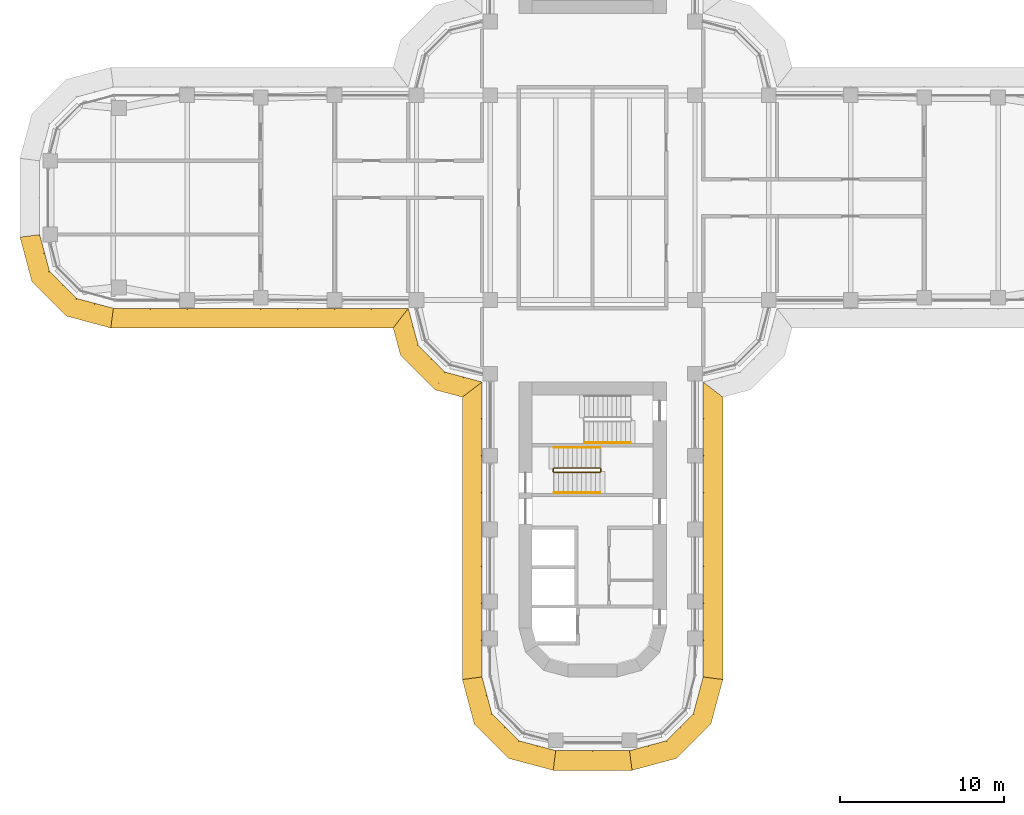
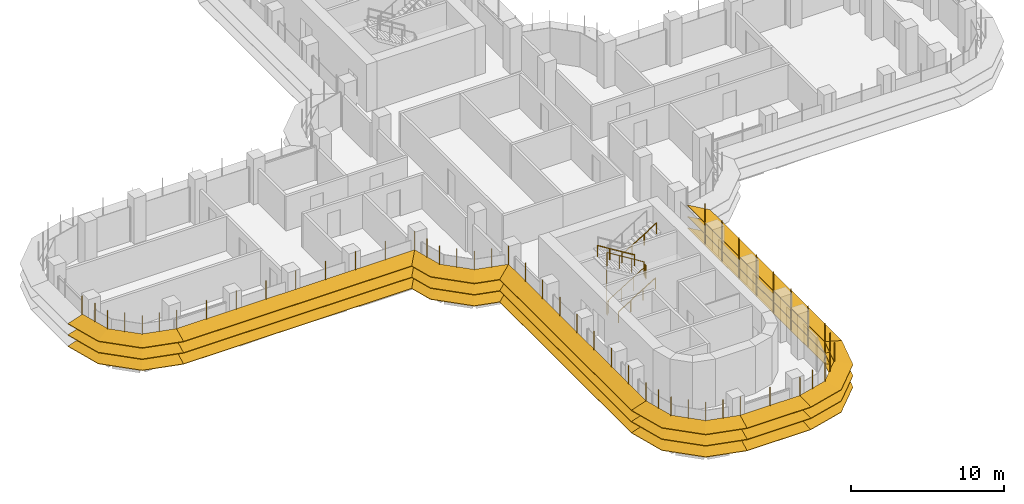
# One storey, part 19 of 22: 8 shading devices, 4 railings.
"""IFC4 building model written with IfcOpenShell, lengths in metres."""

from ifc_helpers import new_model, si_unit, direction, frame, origin, origin_2d, place, context, subcontext, project, spatial, polyline, circle, outline, extrude, faceted_brep, source, transform, mapped, material, type_object, element, save


model = new_model("IFC4")

# Units and contexts
model_context = context("Model", 3, precision=1e-05, world=origin(), true_north=direction((0.0, 1.0)))
body_context = subcontext(model_context, "Body", "Model", "MODEL_VIEW")
ifc_project = project(units=[si_unit("LENGTHUNIT", "METRE"), si_unit("AREAUNIT", "SQUARE_METRE"), si_unit("VOLUMEUNIT", "CUBIC_METRE"), si_unit("PLANEANGLEUNIT", "RADIAN"), si_unit("MASSUNIT", "GRAM", prefix="KILO")], contexts=[model_context])

# Site, building, storey
site_placement = place(None, origin())
site = spatial("IfcSite", under=ifc_project, at=site_placement, CompositionType="ELEMENT")
building_placement = place(site_placement, origin())
building = spatial("IfcBuilding", under=site, at=building_placement, Name="Zarbagh Exchange Tower", CompositionType="ELEMENT")
storey_placement = place(building_placement, frame((0.0, 0.0, 98.0)))
storey = spatial("IfcBuildingStorey", under=building, at=storey_placement, Name="L22", CompositionType="ELEMENT", Elevation=98.0)

# Railings
ifc_material_1 = material(Name="Stainless steel", Category="steel")
railing_type_1 = type_object("IfcRailingType", Name="Stair guard 1100 mm", PredefinedType="GUARDRAIL", material=ifc_material_1)
railing_1_placement = place(storey_placement, frame((0.449951171875, -16.5, 2.07275390625)))
element("IfcRailing", 1, at=railing_1_placement, inside=storey, type_object=railing_type_1, Name="ST3 stair guard 1", PredefinedType="GUARDRAIL", context=body_context, shape_type="SweptSolid", body=[
    extrude(circle(Radius=0.02392578125, at=origin_2d()), frame((0.0, 0.0, 1.076171875), z_axis=(-0.851089632645, 0.0, 0.525020415988), x_axis=(0.0, -1.0, 0.0)), (0.0, 0.0, 1.0), 3.2900390625),
    extrude(circle(Radius=0.02392578125, at=origin_2d()), frame((-2.800048828125, 0.0, 2.80322265625), z_axis=(-0.013104066473, -0.013168302093, -0.99982742474), x_axis=(0.708833529934, -0.705375805398, 0.0)), (0.0, 0.0, 1.0), 3.80078125),
    extrude(circle(Radius=0.02392578125, at=origin_2d()), frame((-2.849853515625, -0.050048828125, -0.99658203125), z_axis=(0.0, -1.0, 0.0), x_axis=(1.0, 0.0, 0.0)), (0.0, 0.0, 1.0), 0.14990234375),
    extrude(circle(Radius=0.02392578125, at=origin_2d()), frame((-2.849853515625, -0.199951171875, -0.99658203125), z_axis=(0.267062837333, -0.268371968888, 0.925556009775), x_axis=(0.708833529934, 0.705375805398, 0.0)), (0.0, 0.0, 1.0), 0.1865234375),
    extrude(circle(Radius=0.02392578125, at=origin_2d()), frame((-2.800048828125, -0.25, -0.82421875), z_axis=(0.851089632645, 0.0, 0.525020415988), x_axis=(0.0, 1.0, 0.0)), (0.0, 0.0, 1.0), 3.2900390625),
    extrude(circle(Radius=0.02392578125, at=origin_2d()), frame((0.0, -0.25, 0.9033203125), z_axis=(0.707106781187, 0.707106781187, 0.0), x_axis=(-0.707106781187, 0.707106781187, 0.0)), (0.0, 0.0, 1.0), 0.07080078125),
    extrude(circle(Radius=0.02392578125, at=origin_2d()), frame((0.050048828125, -0.199951171875, 0.9033203125), z_axis=(0.0, 1.0, 0.0), x_axis=(-1.0, 0.0, 0.0)), (0.0, 0.0, 1.0), 0.14990234375),
    extrude(circle(Radius=0.02099609375, at=origin_2d()), origin(), (0.0, 0.0, 1.0), 1.052001953125),
    extrude(circle(Radius=0.02099609375, at=origin_2d()), frame((-0.933349609375, 0.0, 0.57568359375)), (0.0, 0.0, 1.0), 1.052001953125),
    extrude(circle(Radius=0.02099609375, at=origin_2d()), frame((-1.86669921875, 0.0, 1.151611328125)), (0.0, 0.0, 1.0), 1.052001953125),
    extrude(circle(Radius=0.02099609375, at=origin_2d()), frame((-2.800048828125, 0.0, 1.727294921875)), (0.0, 0.0, 1.0), 1.052001953125),
    extrude(circle(Radius=0.02099609375, at=origin_2d()), frame((-2.8125, -0.012451171875, 0.77734375)), (0.0, 0.0, 1.0), 1.052001953125),
    extrude(circle(Radius=0.02099609375, at=origin_2d()), frame((-2.824951171875, -0.02490234375, -0.1728515625)), (0.0, 0.0, 1.0), 1.052001953125),
    extrude(circle(Radius=0.02099609375, at=origin_2d()), frame((-2.83740234375, -0.03759765625, -1.122802734375)), (0.0, 0.0, 1.0), 1.052001953125),
    extrude(circle(Radius=0.02099609375, at=origin_2d()), frame((-2.849853515625, -0.050048828125, -2.07275390625)), (0.0, 0.0, 1.0), 1.052001953125),
    extrude(circle(Radius=0.02099609375, at=origin_2d()), frame((-2.849853515625, -0.199951171875, -2.07275390625)), (0.0, 0.0, 1.0), 1.052001953125),
    extrude(circle(Radius=0.02099609375, at=origin_2d()), frame((-2.800048828125, -0.25, -1.900146484375)), (0.0, 0.0, 1.0), 1.052001953125),
    extrude(circle(Radius=0.02099609375, at=origin_2d()), frame((-1.86669921875, -0.25, -1.324462890625)), (0.0, 0.0, 1.0), 1.052001953125),
    extrude(circle(Radius=0.02099609375, at=origin_2d()), frame((-0.933349609375, -0.25, -0.74853515625)), (0.0, 0.0, 1.0), 1.052001953125),
    extrude(circle(Radius=0.02099609375, at=origin_2d()), frame((0.0, -0.25, -0.1728515625)), (0.0, 0.0, 1.0), 1.052001953125),
    extrude(circle(Radius=0.02099609375, at=origin_2d()), frame((0.050048828125, -0.199951171875, -0.1728515625)), (0.0, 0.0, 1.0), 1.052001953125),
    extrude(circle(Radius=0.02099609375, at=origin_2d()), frame((0.050048828125, -0.050048828125, -0.1728515625)), (0.0, 0.0, 1.0), 1.052001953125),
])
railing_type_2 = type_object("IfcRailingType", Name="Stair handrail 900 mm", PredefinedType="HANDRAIL", material=ifc_material_1)
railing_2_placement = place(storey_placement, frame((-2.35009765625, -18.0, 0.172607421875)))
element("IfcRailing", 2, at=railing_2_placement, inside=storey, type_object=railing_type_2, Name="ST3 stair handrail 1", PredefinedType="HANDRAIL", context=body_context, shape_type="SweptSolid", body=[
    extrude(circle(Radius=0.02392578125, at=origin_2d()), frame((0.0, 0.0, 0.8759765625), z_axis=(0.851089632645, 0.0, 0.525020415988), x_axis=(0.0, 1.0, 0.0)), (0.0, 0.0, 1.0), 3.2900390625),
    extrude(circle(Radius=0.02099609375, at=origin_2d()), origin(), (0.0, 0.0, 1.0), 0.851806640625),
    extrude(circle(Radius=0.02099609375, at=origin_2d()), frame((0.933349609375, 0.0, 0.57568359375)), (0.0, 0.0, 1.0), 0.851806640625),
    extrude(circle(Radius=0.02099609375, at=origin_2d()), frame((1.86669921875, 0.0, 1.151611328125)), (0.0, 0.0, 1.0), 0.851806640625),
    extrude(circle(Radius=0.02099609375, at=origin_2d()), frame((2.800048828125, 0.0, 1.727294921875)), (0.0, 0.0, 1.0), 0.851806640625),
])
railing_3_placement = place(storey_placement, frame((0.449951171875, -15.25, 2.07275390625)))
element("IfcRailing", 3, at=railing_3_placement, inside=storey, type_object=railing_type_2, Name="ST3 stair handrail 2", PredefinedType="HANDRAIL", context=body_context, shape_type="SweptSolid", body=[
    extrude(circle(Radius=0.02392578125, at=origin_2d()), frame((0.0, 0.0, 0.8759765625), z_axis=(-0.851089632645, 0.0, 0.525020415988), x_axis=(0.0, -1.0, 0.0)), (0.0, 0.0, 1.0), 3.2900390625),
    extrude(circle(Radius=0.02099609375, at=origin_2d()), origin(), (0.0, 0.0, 1.0), 0.851806640625),
    extrude(circle(Radius=0.02099609375, at=origin_2d()), frame((-0.933349609375, 0.0, 0.57568359375)), (0.0, 0.0, 1.0), 0.851806640625),
    extrude(circle(Radius=0.02099609375, at=origin_2d()), frame((-1.86669921875, 0.0, 1.151611328125)), (0.0, 0.0, 1.0), 0.851806640625),
    extrude(circle(Radius=0.02099609375, at=origin_2d()), frame((-2.800048828125, 0.0, 1.727294921875)), (0.0, 0.0, 1.0), 0.851806640625),
])
railing_4_placement = place(storey_placement, frame((-0.5, -14.949951171875, 2.07275390625)))
element("IfcRailing", 4, at=railing_4_placement, inside=storey, type_object=railing_type_2, Name="ST4 stair handrail 2", PredefinedType="HANDRAIL", context=body_context, shape_type="SweptSolid", body=[
    extrude(circle(Radius=0.02392578125, at=origin_2d()), frame((0.0, 0.0, 0.8759765625), z_axis=(0.851089632645, 0.0, 0.525020415988), x_axis=(0.0, 1.0, 0.0)), (0.0, 0.0, 1.0), 3.2900390625),
    extrude(circle(Radius=0.02099609375, at=origin_2d()), origin(), (0.0, 0.0, 1.0), 0.851806640625),
    extrude(circle(Radius=0.02099609375, at=origin_2d()), frame((0.933349609375, 0.0, 0.57568359375)), (0.0, 0.0, 1.0), 0.851806640625),
    extrude(circle(Radius=0.02099609375, at=origin_2d()), frame((1.86669921875, 0.0, 1.151611328125)), (0.0, 0.0, 1.0), 0.851806640625),
    extrude(circle(Radius=0.02099609375, at=origin_2d()), frame((2.800048828125, 0.0, 1.727294921875)), (0.0, 0.0, 1.0), 0.851806640625),
])

# Shading devices
ifc_material_2 = material(Name="Anodised aluminium blades and brackets", Category="aluminium")
shading_device_type = type_object("IfcShadingDeviceType", Name="SUNSHADE louvre band, 11.25 degree blades", PredefinedType="JALOUSIE", material=ifc_material_2)
shared_shape_1 = source(origin(), body_context, "Body", "Brep", [
    faceted_brep([(0.0, 0.0, 0.0), (0.0, 0.0, -0.040771484375), (-0.157958984375, -1.199951171875, -0.279541015625), (-0.157958984375, -1.199951171875, -0.23876953125), (2.65087890625, -1.199951171875, -0.23876953125), (2.65087890625, -1.199951171875, -0.279541015625), (2.329345703125, 0.0, -0.040771484375), (2.329345703125, 0.0, 0.0)], [[[0, 1, 2, 3]], [[4, 5, 6, 7]], [[0, 7, 6, 1]], [[1, 6, 5, 2]], [[2, 5, 4, 3]], [[3, 4, 7, 0]]]),
])
shared_shape_2 = source(origin(), body_context, "Body", "Brep", [
    faceted_brep([(0.0, 0.0, 0.0), (0.0, 0.0, -0.040771484375), (-0.321533203125, -1.199951171875, -0.279541015625), (-0.321533203125, -1.199951171875, -0.23876953125), (2.65087890625, -1.199951171875, -0.23876953125), (2.65087890625, -1.199951171875, -0.279541015625), (2.329345703125, 0.0, -0.040771484375), (2.329345703125, 0.0, 0.0)], [[[0, 1, 2, 3]], [[4, 5, 6, 7]], [[0, 7, 6, 1]], [[1, 6, 5, 2]], [[2, 5, 4, 3]], [[3, 4, 7, 0]]]),
])
shared_shape_3 = source(origin(), body_context, "Body", "Brep", [
    faceted_brep([(0.0, 0.0, 0.0), (0.0, 0.0, -0.040771484375), (-0.321533203125, -1.199951171875, -0.279541015625), (-0.321533203125, -1.199951171875, -0.23876953125), (2.4873046875, -1.199951171875, -0.23876953125), (2.4873046875, -1.199951171875, -0.279541015625), (2.329345703125, 0.0, -0.040771484375), (2.329345703125, 0.0, 0.0)], [[[0, 1, 2, 3]], [[4, 5, 6, 7]], [[0, 7, 6, 1]], [[1, 6, 5, 2]], [[2, 5, 4, 3]], [[3, 4, 7, 0]]]),
])
shared_shape_4 = source(origin(), body_context, "Body", "SweptSolid", [
    extrude(outline(polyline([(0.0, -0.012451171875), (0.06005859375, -0.012451171875), (0.06005859375, 0.012451171875), (0.0, 0.012451171875), (0.0, -0.012451171875)])), origin(), (0.0, 0.0, 1.0), 3.350830078125),
])
placement = place(storey_placement, origin())
element("IfcShadingDevice", 5, at=placement, inside=storey, type_object=shading_device_type, Name="SS01 sunshade band", PredefinedType="JALOUSIE", context=body_context, shape_type="MappedRepresentation", body=[
    mapped(shared_shape_1, transform((2.25, -33.75, 2.300048828125), x_axis=(0.965924289636, 0.258824779902, 0.0), y_axis=(-0.258824779902, 0.965924289636, 0.0), z_axis=(0.0, 0.0, 1.0))),
    mapped(shared_shape_1, transform((2.25, -33.75, 1.39990234375), x_axis=(0.965924289636, 0.258824779902, 0.0), y_axis=(-0.258824779902, 0.965924289636, 0.0), z_axis=(0.0, 0.0, 1.0))),
    mapped(shared_shape_1, transform((2.25, -33.75, 0.5), x_axis=(0.965924289636, 0.258824779902, 0.0), y_axis=(-0.258824779902, 0.965924289636, 0.0), z_axis=(0.0, 0.0, 1.0))),
    mapped(shared_shape_2, transform((4.5, -33.147216796875, 2.300048828125), x_axis=(0.707106781187, 0.707106781187, 0.0), y_axis=(-0.707106781187, 0.707106781187, 0.0), z_axis=(0.0, 0.0, 1.0))),
    mapped(shared_shape_2, transform((4.5, -33.147216796875, 1.39990234375), x_axis=(0.707106781187, 0.707106781187, 0.0), y_axis=(-0.707106781187, 0.707106781187, 0.0), z_axis=(0.0, 0.0, 1.0))),
    mapped(shared_shape_2, transform((4.5, -33.147216796875, 0.5), x_axis=(0.707106781187, 0.707106781187, 0.0), y_axis=(-0.707106781187, 0.707106781187, 0.0), z_axis=(0.0, 0.0, 1.0))),
    mapped(shared_shape_3, transform((6.147216796875, -31.5, 2.300048828125), x_axis=(0.258824779902, 0.965924289636, 0.0), y_axis=(-0.965924289636, 0.258824779902, 0.0), z_axis=(0.0, 0.0, 1.0))),
    mapped(shared_shape_3, transform((6.147216796875, -31.5, 1.39990234375), x_axis=(0.258824779902, 0.965924289636, 0.0), y_axis=(-0.965924289636, 0.258824779902, 0.0), z_axis=(0.0, 0.0, 1.0))),
    mapped(shared_shape_3, transform((6.147216796875, -31.5, 0.5), x_axis=(0.258824779902, 0.965924289636, 0.0), y_axis=(-0.965924289636, 0.258824779902, 0.0), z_axis=(0.0, 0.0, 1.0))),
    mapped(shared_shape_4, transform((2.25, -33.75, 0.42919921875), x_axis=(0.130529263012, -0.991444457092, 0.0), y_axis=(0.991444457092, 0.130529263012, 0.0), z_axis=(0.0, 0.0, 1.0))),
    mapped(shared_shape_4, transform((3.375, -33.448486328125, 0.42919921875), x_axis=(0.258825058029, -0.96592421511, 0.0), y_axis=(0.96592421511, 0.258825058029, 0.0), z_axis=(0.0, 0.0, 1.0))),
    mapped(shared_shape_4, transform((4.5, -33.147216796875, 0.42919921875), x_axis=(0.50000275701, -0.866023812018, 0.0), y_axis=(0.866023812018, 0.50000275701, 0.0), z_axis=(0.0, 0.0, 1.0))),
    mapped(shared_shape_4, transform((5.323486328125, -32.323486328125, 0.42919921875), x_axis=(0.707106781187, -0.707106781187, 0.0), y_axis=(0.707106781187, 0.707106781187, 0.0), z_axis=(0.0, 0.0, 1.0))),
    mapped(shared_shape_4, transform((6.147216796875, -31.5, 0.42919921875), x_axis=(0.866023812018, -0.50000275701, 0.0), y_axis=(0.50000275701, 0.866023812018, 0.0), z_axis=(0.0, 0.0, 1.0))),
    mapped(shared_shape_4, transform((6.448486328125, -30.375, 0.42919921875), x_axis=(0.96592421511, -0.258825058029, 0.0), y_axis=(0.258825058029, 0.96592421511, 0.0), z_axis=(0.0, 0.0, 1.0))),
])
element("IfcShadingDevice", 6, at=placement, inside=storey, type_object=shading_device_type, Name="SS19 sunshade band", PredefinedType="JALOUSIE", context=body_context, shape_type="MappedRepresentation", body=[
    mapped(shared_shape_1, transform((-33.75, -2.25, 2.300048828125), x_axis=(0.258824779902, -0.965924289636, 0.0), y_axis=(0.965924289636, 0.258824779902, 0.0), z_axis=(0.0, 0.0, 1.0))),
    mapped(shared_shape_1, transform((-33.75, -2.25, 1.39990234375), x_axis=(0.258824779902, -0.965924289636, 0.0), y_axis=(0.965924289636, 0.258824779902, 0.0), z_axis=(0.0, 0.0, 1.0))),
    mapped(shared_shape_1, transform((-33.75, -2.25, 0.5), x_axis=(0.258824779902, -0.965924289636, 0.0), y_axis=(0.965924289636, 0.258824779902, 0.0), z_axis=(0.0, 0.0, 1.0))),
    mapped(shared_shape_2, transform((-33.147216796875, -4.5, 2.300048828125), x_axis=(0.707106781187, -0.707106781187, 0.0), y_axis=(0.707106781187, 0.707106781187, 0.0), z_axis=(0.0, 0.0, 1.0))),
    mapped(shared_shape_2, transform((-33.147216796875, -4.5, 1.39990234375), x_axis=(0.707106781187, -0.707106781187, 0.0), y_axis=(0.707106781187, 0.707106781187, 0.0), z_axis=(0.0, 0.0, 1.0))),
    mapped(shared_shape_2, transform((-33.147216796875, -4.5, 0.5), x_axis=(0.707106781187, -0.707106781187, 0.0), y_axis=(0.707106781187, 0.707106781187, 0.0), z_axis=(0.0, 0.0, 1.0))),
    mapped(shared_shape_3, transform((-31.5, -6.147216796875, 2.300048828125), x_axis=(0.965924289636, -0.258824779902, 0.0), y_axis=(0.258824779902, 0.965924289636, 0.0), z_axis=(0.0, 0.0, 1.0))),
    mapped(shared_shape_3, transform((-31.5, -6.147216796875, 1.39990234375), x_axis=(0.965924289636, -0.258824779902, 0.0), y_axis=(0.258824779902, 0.965924289636, 0.0), z_axis=(0.0, 0.0, 1.0))),
    mapped(shared_shape_3, transform((-31.5, -6.147216796875, 0.5), x_axis=(0.965924289636, -0.258824779902, 0.0), y_axis=(0.258824779902, 0.965924289636, 0.0), z_axis=(0.0, 0.0, 1.0))),
    mapped(shared_shape_4, transform((-33.75, -2.25, 0.42919921875), x_axis=(-0.991444457092, -0.130529263012, 0.0), y_axis=(0.130529263012, -0.991444457092, 0.0), z_axis=(0.0, 0.0, 1.0))),
    mapped(shared_shape_4, transform((-33.448486328125, -3.375, 0.42919921875), x_axis=(-0.96592421511, -0.258825058029, 0.0), y_axis=(0.258825058029, -0.96592421511, 0.0), z_axis=(0.0, 0.0, 1.0))),
    mapped(shared_shape_4, transform((-33.147216796875, -4.5, 0.42919921875), x_axis=(-0.866023812018, -0.50000275701, 0.0), y_axis=(0.50000275701, -0.866023812018, 0.0), z_axis=(0.0, 0.0, 1.0))),
    mapped(shared_shape_4, transform((-32.323486328125, -5.323486328125, 0.42919921875), x_axis=(-0.707106781187, -0.707106781187, 0.0), y_axis=(0.707106781187, -0.707106781187, 0.0), z_axis=(0.0, 0.0, 1.0))),
    mapped(shared_shape_4, transform((-31.5, -6.147216796875, 0.42919921875), x_axis=(-0.50000275701, -0.866023812018, 0.0), y_axis=(0.866023812018, -0.50000275701, 0.0), z_axis=(0.0, 0.0, 1.0))),
    mapped(shared_shape_4, transform((-30.375, -6.448486328125, 0.42919921875), x_axis=(-0.258825058029, -0.96592421511, 0.0), y_axis=(0.96592421511, -0.258825058029, 0.0), z_axis=(0.0, 0.0, 1.0))),
])
element("IfcShadingDevice", 7, at=placement, inside=storey, type_object=shading_device_type, Name="SS23 sunshade band", PredefinedType="JALOUSIE", context=body_context, shape_type="MappedRepresentation", body=[
    mapped(shared_shape_1, transform((-6.75, -29.25, 2.300048828125), x_axis=(0.258824779902, -0.965924289636, 0.0), y_axis=(0.965924289636, 0.258824779902, 0.0), z_axis=(0.0, 0.0, 1.0))),
    mapped(shared_shape_1, transform((-6.75, -29.25, 1.39990234375), x_axis=(0.258824779902, -0.965924289636, 0.0), y_axis=(0.965924289636, 0.258824779902, 0.0), z_axis=(0.0, 0.0, 1.0))),
    mapped(shared_shape_1, transform((-6.75, -29.25, 0.5), x_axis=(0.258824779902, -0.965924289636, 0.0), y_axis=(0.965924289636, 0.258824779902, 0.0), z_axis=(0.0, 0.0, 1.0))),
    mapped(shared_shape_2, transform((-6.147216796875, -31.5, 2.300048828125), x_axis=(0.707106781187, -0.707106781187, 0.0), y_axis=(0.707106781187, 0.707106781187, 0.0), z_axis=(0.0, 0.0, 1.0))),
    mapped(shared_shape_2, transform((-6.147216796875, -31.5, 1.39990234375), x_axis=(0.707106781187, -0.707106781187, 0.0), y_axis=(0.707106781187, 0.707106781187, 0.0), z_axis=(0.0, 0.0, 1.0))),
    mapped(shared_shape_2, transform((-6.147216796875, -31.5, 0.5), x_axis=(0.707106781187, -0.707106781187, 0.0), y_axis=(0.707106781187, 0.707106781187, 0.0), z_axis=(0.0, 0.0, 1.0))),
    mapped(shared_shape_3, transform((-4.5, -33.147216796875, 2.300048828125), x_axis=(0.965924289636, -0.258824779902, 0.0), y_axis=(0.258824779902, 0.965924289636, 0.0), z_axis=(0.0, 0.0, 1.0))),
    mapped(shared_shape_3, transform((-4.5, -33.147216796875, 1.39990234375), x_axis=(0.965924289636, -0.258824779902, 0.0), y_axis=(0.258824779902, 0.965924289636, 0.0), z_axis=(0.0, 0.0, 1.0))),
    mapped(shared_shape_3, transform((-4.5, -33.147216796875, 0.5), x_axis=(0.965924289636, -0.258824779902, 0.0), y_axis=(0.258824779902, 0.965924289636, 0.0), z_axis=(0.0, 0.0, 1.0))),
    mapped(shared_shape_4, transform((-6.75, -29.25, 0.42919921875), x_axis=(-0.991444457092, -0.130529263012, 0.0), y_axis=(0.130529263012, -0.991444457092, 0.0), z_axis=(0.0, 0.0, 1.0))),
    mapped(shared_shape_4, transform((-6.448486328125, -30.375, 0.42919921875), x_axis=(-0.96592421511, -0.258825058029, 0.0), y_axis=(0.258825058029, -0.96592421511, 0.0), z_axis=(0.0, 0.0, 1.0))),
    mapped(shared_shape_4, transform((-6.147216796875, -31.5, 0.42919921875), x_axis=(-0.866023812018, -0.50000275701, 0.0), y_axis=(0.50000275701, -0.866023812018, 0.0), z_axis=(0.0, 0.0, 1.0))),
    mapped(shared_shape_4, transform((-5.323486328125, -32.323486328125, 0.42919921875), x_axis=(-0.707106781187, -0.707106781187, 0.0), y_axis=(0.707106781187, -0.707106781187, 0.0), z_axis=(0.0, 0.0, 1.0))),
    mapped(shared_shape_4, transform((-4.5, -33.147216796875, 0.42919921875), x_axis=(-0.50000275701, -0.866023812018, 0.0), y_axis=(0.866023812018, -0.50000275701, 0.0), z_axis=(0.0, 0.0, 1.0))),
    mapped(shared_shape_4, transform((-3.375, -33.448486328125, 0.42919921875), x_axis=(-0.258825058029, -0.96592421511, 0.0), y_axis=(0.96592421511, -0.258825058029, 0.0), z_axis=(0.0, 0.0, 1.0))),
])
shared_shape_5 = source(origin(), body_context, "Body", "Brep", [
    faceted_brep([(0.0, 0.0, 0.0), (0.0, 0.0, -0.040771484375), (0.9208984375, -1.199951171875, -0.279541015625), (0.9208984375, -1.199951171875, -0.23876953125), (2.65087890625, -1.199951171875, -0.23876953125), (2.65087890625, -1.199951171875, -0.279541015625), (2.329345703125, 0.0, -0.040771484375), (2.329345703125, 0.0, 0.0)], [[[0, 1, 2, 3]], [[4, 5, 6, 7]], [[0, 7, 6, 1]], [[1, 6, 5, 2]], [[2, 5, 4, 3]], [[3, 4, 7, 0]]]),
])
shared_shape_6 = source(origin(), body_context, "Body", "Brep", [
    faceted_brep([(0.0, 0.0, 0.0), (0.0, 0.0, -0.040771484375), (-0.321533203125, -1.199951171875, -0.279541015625), (-0.321533203125, -1.199951171875, -0.23876953125), (1.40869140625, -1.199951171875, -0.23876953125), (1.40869140625, -1.199951171875, -0.279541015625), (2.329345703125, 0.0, -0.040771484375), (2.329345703125, 0.0, 0.0)], [[[0, 1, 2, 3]], [[4, 5, 6, 7]], [[0, 7, 6, 1]], [[1, 6, 5, 2]], [[2, 5, 4, 3]], [[3, 4, 7, 0]]]),
])
element("IfcShadingDevice", 8, at=placement, inside=storey, type_object=shading_device_type, Name="SS21 sunshade band", PredefinedType="JALOUSIE", context=body_context, shape_type="MappedRepresentation", body=[
    mapped(shared_shape_5, transform((-11.25, -6.75, 2.300048828125), x_axis=(0.258824779902, -0.965924289636, 0.0), y_axis=(0.965924289636, 0.258824779902, 0.0), z_axis=(0.0, 0.0, 1.0))),
    mapped(shared_shape_5, transform((-11.25, -6.75, 1.39990234375), x_axis=(0.258824779902, -0.965924289636, 0.0), y_axis=(0.965924289636, 0.258824779902, 0.0), z_axis=(0.0, 0.0, 1.0))),
    mapped(shared_shape_5, transform((-11.25, -6.75, 0.5), x_axis=(0.258824779902, -0.965924289636, 0.0), y_axis=(0.965924289636, 0.258824779902, 0.0), z_axis=(0.0, 0.0, 1.0))),
    mapped(shared_shape_2, transform((-10.647216796875, -9.0, 2.300048828125), x_axis=(0.707106781187, -0.707106781187, 0.0), y_axis=(0.707106781187, 0.707106781187, 0.0), z_axis=(0.0, 0.0, 1.0))),
    mapped(shared_shape_2, transform((-10.647216796875, -9.0, 1.39990234375), x_axis=(0.707106781187, -0.707106781187, 0.0), y_axis=(0.707106781187, 0.707106781187, 0.0), z_axis=(0.0, 0.0, 1.0))),
    mapped(shared_shape_2, transform((-10.647216796875, -9.0, 0.5), x_axis=(0.707106781187, -0.707106781187, 0.0), y_axis=(0.707106781187, 0.707106781187, 0.0), z_axis=(0.0, 0.0, 1.0))),
    mapped(shared_shape_6, transform((-9.0, -10.647216796875, 2.300048828125), x_axis=(0.965924289636, -0.258824779902, 0.0), y_axis=(0.258824779902, 0.965924289636, 0.0), z_axis=(0.0, 0.0, 1.0))),
    mapped(shared_shape_6, transform((-9.0, -10.647216796875, 1.39990234375), x_axis=(0.965924289636, -0.258824779902, 0.0), y_axis=(0.258824779902, 0.965924289636, 0.0), z_axis=(0.0, 0.0, 1.0))),
    mapped(shared_shape_6, transform((-9.0, -10.647216796875, 0.5), x_axis=(0.965924289636, -0.258824779902, 0.0), y_axis=(0.258824779902, 0.965924289636, 0.0), z_axis=(0.0, 0.0, 1.0))),
    mapped(shared_shape_4, transform((-11.25, -6.75, 0.42919921875), x_axis=(-0.608758892, -0.793355287, 0.0), y_axis=(0.793355287, -0.608758892, 0.0), z_axis=(0.0, 0.0, 1.0))),
    mapped(shared_shape_4, transform((-10.948486328125, -7.875, 0.42919921875), x_axis=(-0.96592421511, -0.258825058029, 0.0), y_axis=(0.258825058029, -0.96592421511, 0.0), z_axis=(0.0, 0.0, 1.0))),
    mapped(shared_shape_4, transform((-10.647216796875, -9.0, 0.42919921875), x_axis=(-0.866023812018, -0.50000275701, 0.0), y_axis=(0.50000275701, -0.866023812018, 0.0), z_axis=(0.0, 0.0, 1.0))),
    mapped(shared_shape_4, transform((-9.823486328125, -9.823486328125, 0.42919921875), x_axis=(-0.707106781187, -0.707106781187, 0.0), y_axis=(0.707106781187, -0.707106781187, 0.0), z_axis=(0.0, 0.0, 1.0))),
    mapped(shared_shape_4, transform((-9.0, -10.647216796875, 0.42919921875), x_axis=(-0.50000275701, -0.866023812018, 0.0), y_axis=(0.866023812018, -0.50000275701, 0.0), z_axis=(0.0, 0.0, 1.0))),
    mapped(shared_shape_4, transform((-7.875, -10.948486328125, 0.42919921875), x_axis=(-0.258825058029, -0.96592421511, 0.0), y_axis=(0.96592421511, -0.258825058029, 0.0), z_axis=(0.0, 0.0, 1.0))),
])
shared_shape_7 = source(origin(), body_context, "Body", "Brep", [
    faceted_brep([(0.0, 0.0, 0.0), (0.0, 0.0, -0.040771484375), (-0.157958984375, -1.199951171875, -0.279541015625), (-0.157958984375, -1.199951171875, -0.23876953125), (17.0791015625, -1.199951171875, -0.23876953125), (17.0791015625, -1.199951171875, -0.279541015625), (18.0, 0.0, -0.040771484375), (18.0, 0.0, 0.0)], [[[0, 1, 2, 3]], [[4, 5, 6, 7]], [[0, 7, 6, 1]], [[1, 6, 5, 2]], [[2, 5, 4, 3]], [[3, 4, 7, 0]]]),
])
element("IfcShadingDevice", 9, at=placement, inside=storey, type_object=shading_device_type, Name="SS02 sunshade band", PredefinedType="JALOUSIE", context=body_context, shape_type="MappedRepresentation", body=[
    mapped(shared_shape_7, transform((6.75, -29.25, 2.300048828125), x_axis=(0.0, 1.0, 0.0), y_axis=(-1.0, 0.0, 0.0), z_axis=(0.0, 0.0, 1.0))),
    mapped(shared_shape_7, transform((6.75, -29.25, 1.39990234375), x_axis=(0.0, 1.0, 0.0), y_axis=(-1.0, 0.0, 0.0), z_axis=(0.0, 0.0, 1.0))),
    mapped(shared_shape_7, transform((6.75, -29.25, 0.5), x_axis=(0.0, 1.0, 0.0), y_axis=(-1.0, 0.0, 0.0), z_axis=(0.0, 0.0, 1.0))),
    mapped(shared_shape_4, transform((6.75, -29.25, 0.42919921875), x_axis=(0.991444457092, -0.130529263012, 0.0), y_axis=(0.130529263012, 0.991444457092, 0.0), z_axis=(0.0, 0.0, 1.0))),
    mapped(shared_shape_4, transform((6.75, -27.0, 0.42919921875), x_axis=(1.0, 0.0, 0.0), y_axis=(0.0, 1.0, 0.0), z_axis=(0.0, 0.0, 1.0))),
    mapped(shared_shape_4, transform((6.75, -24.75, 0.42919921875), x_axis=(1.0, 0.0, 0.0), y_axis=(0.0, 1.0, 0.0), z_axis=(0.0, 0.0, 1.0))),
    mapped(shared_shape_4, transform((6.75, -22.5, 0.42919921875), x_axis=(1.0, 0.0, 0.0), y_axis=(0.0, 1.0, 0.0), z_axis=(0.0, 0.0, 1.0))),
    mapped(shared_shape_4, transform((6.75, -20.25, 0.42919921875), x_axis=(1.0, 0.0, 0.0), y_axis=(0.0, 1.0, 0.0), z_axis=(0.0, 0.0, 1.0))),
    mapped(shared_shape_4, transform((6.75, -18.0, 0.42919921875), x_axis=(1.0, 0.0, 0.0), y_axis=(0.0, 1.0, 0.0), z_axis=(0.0, 0.0, 1.0))),
    mapped(shared_shape_4, transform((6.75, -15.75, 0.42919921875), x_axis=(1.0, 0.0, 0.0), y_axis=(0.0, 1.0, 0.0), z_axis=(0.0, 0.0, 1.0))),
    mapped(shared_shape_4, transform((6.75, -13.5, 0.42919921875), x_axis=(1.0, 0.0, 0.0), y_axis=(0.0, 1.0, 0.0), z_axis=(0.0, 0.0, 1.0))),
])
element("IfcShadingDevice", 10, at=placement, inside=storey, type_object=shading_device_type, Name="SS20 sunshade band", PredefinedType="JALOUSIE", context=body_context, shape_type="MappedRepresentation", body=[
    mapped(shared_shape_7, transform((-29.25, -6.75, 2.300048828125), x_axis=(1.0, 0.0, 0.0), y_axis=(0.0, 1.0, 0.0), z_axis=(0.0, 0.0, 1.0))),
    mapped(shared_shape_7, transform((-29.25, -6.75, 1.39990234375), x_axis=(1.0, 0.0, 0.0), y_axis=(0.0, 1.0, 0.0), z_axis=(0.0, 0.0, 1.0))),
    mapped(shared_shape_7, transform((-29.25, -6.75, 0.5), x_axis=(1.0, 0.0, 0.0), y_axis=(0.0, 1.0, 0.0), z_axis=(0.0, 0.0, 1.0))),
    mapped(shared_shape_4, transform((-29.25, -6.75, 0.42919921875), x_axis=(-0.130529263012, -0.991444457092, 0.0), y_axis=(0.991444457092, -0.130529263012, 0.0), z_axis=(0.0, 0.0, 1.0))),
    mapped(shared_shape_4, transform((-27.0, -6.75, 0.42919921875), x_axis=(0.0, -1.0, 0.0), y_axis=(1.0, 0.0, 0.0), z_axis=(0.0, 0.0, 1.0))),
    mapped(shared_shape_4, transform((-24.75, -6.75, 0.42919921875), x_axis=(0.0, -1.0, 0.0), y_axis=(1.0, 0.0, 0.0), z_axis=(0.0, 0.0, 1.0))),
    mapped(shared_shape_4, transform((-22.5, -6.75, 0.42919921875), x_axis=(0.0, -1.0, 0.0), y_axis=(1.0, 0.0, 0.0), z_axis=(0.0, 0.0, 1.0))),
    mapped(shared_shape_4, transform((-20.25, -6.75, 0.42919921875), x_axis=(0.0, -1.0, 0.0), y_axis=(1.0, 0.0, 0.0), z_axis=(0.0, 0.0, 1.0))),
    mapped(shared_shape_4, transform((-18.0, -6.75, 0.42919921875), x_axis=(0.0, -1.0, 0.0), y_axis=(1.0, 0.0, 0.0), z_axis=(0.0, 0.0, 1.0))),
    mapped(shared_shape_4, transform((-15.75, -6.75, 0.42919921875), x_axis=(0.0, -1.0, 0.0), y_axis=(1.0, 0.0, 0.0), z_axis=(0.0, 0.0, 1.0))),
    mapped(shared_shape_4, transform((-13.5, -6.75, 0.42919921875), x_axis=(0.0, -1.0, 0.0), y_axis=(1.0, 0.0, 0.0), z_axis=(0.0, 0.0, 1.0))),
])
shared_shape_8 = source(origin(), body_context, "Body", "Brep", [
    faceted_brep([(0.0, 0.0, 0.0), (0.0, 0.0, -0.040771484375), (0.9208984375, -1.199951171875, -0.279541015625), (0.9208984375, -1.199951171875, -0.23876953125), (18.157958984375, -1.199951171875, -0.23876953125), (18.157958984375, -1.199951171875, -0.279541015625), (18.0, 0.0, -0.040771484375), (18.0, 0.0, 0.0)], [[[0, 1, 2, 3]], [[4, 5, 6, 7]], [[0, 7, 6, 1]], [[1, 6, 5, 2]], [[2, 5, 4, 3]], [[3, 4, 7, 0]]]),
])
element("IfcShadingDevice", 11, at=placement, inside=storey, type_object=shading_device_type, Name="SS22 sunshade band", PredefinedType="JALOUSIE", context=body_context, shape_type="MappedRepresentation", body=[
    mapped(shared_shape_8, transform((-6.75, -11.25, 2.300048828125), x_axis=(0.0, -1.0, 0.0), y_axis=(1.0, 0.0, 0.0), z_axis=(0.0, 0.0, 1.0))),
    mapped(shared_shape_8, transform((-6.75, -11.25, 1.39990234375), x_axis=(0.0, -1.0, 0.0), y_axis=(1.0, 0.0, 0.0), z_axis=(0.0, 0.0, 1.0))),
    mapped(shared_shape_8, transform((-6.75, -11.25, 0.5), x_axis=(0.0, -1.0, 0.0), y_axis=(1.0, 0.0, 0.0), z_axis=(0.0, 0.0, 1.0))),
    mapped(shared_shape_4, transform((-6.75, -11.25, 0.42919921875), x_axis=(-0.793355287, -0.608758892, 0.0), y_axis=(0.608758892, -0.793355287, 0.0), z_axis=(0.0, 0.0, 1.0))),
    mapped(shared_shape_4, transform((-6.75, -13.5, 0.42919921875), x_axis=(-1.0, 0.0, 0.0), y_axis=(0.0, -1.0, 0.0), z_axis=(0.0, 0.0, 1.0))),
    mapped(shared_shape_4, transform((-6.75, -15.75, 0.42919921875), x_axis=(-1.0, 0.0, 0.0), y_axis=(0.0, -1.0, 0.0), z_axis=(0.0, 0.0, 1.0))),
    mapped(shared_shape_4, transform((-6.75, -18.0, 0.42919921875), x_axis=(-1.0, 0.0, 0.0), y_axis=(0.0, -1.0, 0.0), z_axis=(0.0, 0.0, 1.0))),
    mapped(shared_shape_4, transform((-6.75, -20.25, 0.42919921875), x_axis=(-1.0, 0.0, 0.0), y_axis=(0.0, -1.0, 0.0), z_axis=(0.0, 0.0, 1.0))),
    mapped(shared_shape_4, transform((-6.75, -22.5, 0.42919921875), x_axis=(-1.0, 0.0, 0.0), y_axis=(0.0, -1.0, 0.0), z_axis=(0.0, 0.0, 1.0))),
    mapped(shared_shape_4, transform((-6.75, -24.75, 0.42919921875), x_axis=(-1.0, 0.0, 0.0), y_axis=(0.0, -1.0, 0.0), z_axis=(0.0, 0.0, 1.0))),
    mapped(shared_shape_4, transform((-6.75, -27.0, 0.42919921875), x_axis=(-1.0, 0.0, 0.0), y_axis=(0.0, -1.0, 0.0), z_axis=(0.0, 0.0, 1.0))),
])
shared_shape_9 = source(origin(), body_context, "Body", "Brep", [
    faceted_brep([(0.0, 0.0, 0.0), (0.0, 0.0, -0.040771484375), (-0.157958984375, -1.199951171875, -0.279541015625), (-0.157958984375, -1.199951171875, -0.23876953125), (4.657958984375, -1.199951171875, -0.23876953125), (4.657958984375, -1.199951171875, -0.279541015625), (4.5, 0.0, -0.040771484375), (4.5, 0.0, 0.0)], [[[0, 1, 2, 3]], [[4, 5, 6, 7]], [[0, 7, 6, 1]], [[1, 6, 5, 2]], [[2, 5, 4, 3]], [[3, 4, 7, 0]]]),
])
element("IfcShadingDevice", 12, at=placement, inside=storey, type_object=shading_device_type, Name="SS24 sunshade band", PredefinedType="JALOUSIE", context=body_context, shape_type="MappedRepresentation", body=[
    mapped(shared_shape_9, transform((-2.25, -33.75, 2.300048828125), x_axis=(1.0, 0.0, 0.0), y_axis=(0.0, 1.0, 0.0), z_axis=(0.0, 0.0, 1.0))),
    mapped(shared_shape_9, transform((-2.25, -33.75, 1.39990234375), x_axis=(1.0, 0.0, 0.0), y_axis=(0.0, 1.0, 0.0), z_axis=(0.0, 0.0, 1.0))),
    mapped(shared_shape_9, transform((-2.25, -33.75, 0.5), x_axis=(1.0, 0.0, 0.0), y_axis=(0.0, 1.0, 0.0), z_axis=(0.0, 0.0, 1.0))),
    mapped(shared_shape_4, transform((-2.25, -33.75, 0.42919921875), x_axis=(-0.130529263012, -0.991444457092, 0.0), y_axis=(0.991444457092, -0.130529263012, 0.0), z_axis=(0.0, 0.0, 1.0))),
    mapped(shared_shape_4, transform((0.0, -33.75, 0.42919921875), x_axis=(0.0, -1.0, 0.0), y_axis=(1.0, 0.0, 0.0), z_axis=(0.0, 0.0, 1.0))),
])

save(model, "model.ifc")
